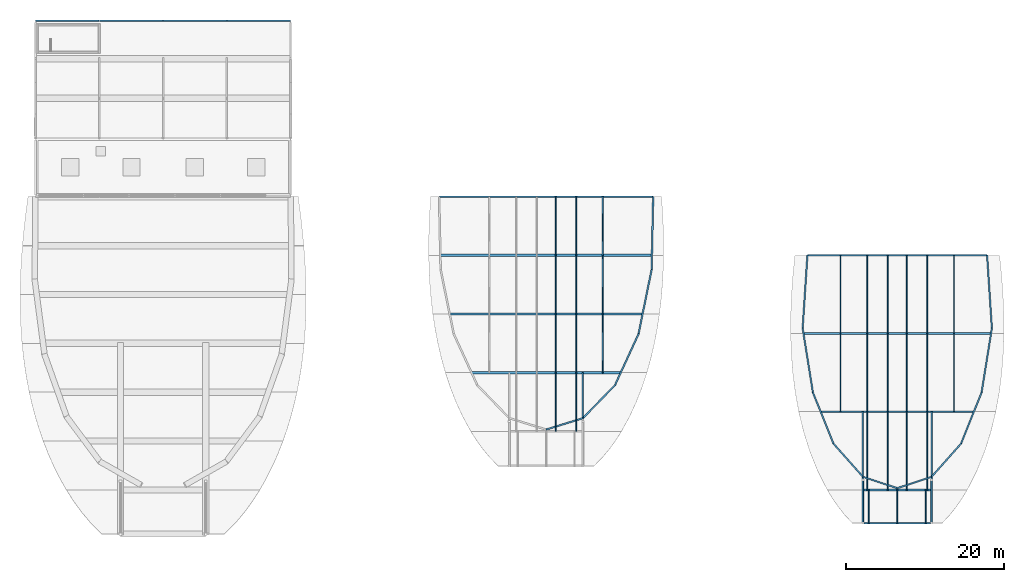
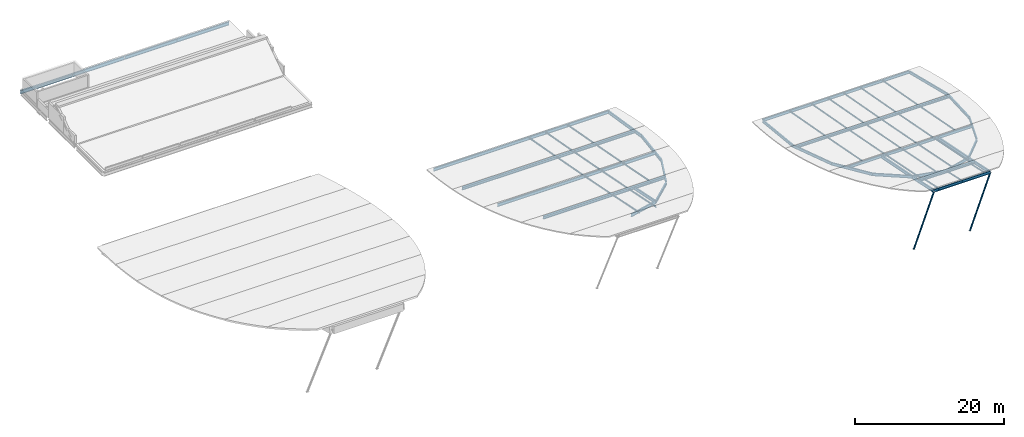
# One storey, part 2 of 9: 41 members, 24 beams.
"""IFC4 building model written with IfcOpenShell, lengths in metres."""

from ifc_helpers import new_model, si_unit, direction, frame, origin, origin_2d, place, context, subcontext, project, spatial, hollow_circle, i_section, extrude, material, material_profile, profile_set, type_object, element, save


model = new_model("IFC4")

# Units and contexts
model_context = context("Model", 3, precision=1e-05, world=origin(), true_north=direction((0.0, 1.0)))
body_context = subcontext(model_context, "Body", "Model", "MODEL_VIEW")
ifc_project = project(units=[si_unit("LENGTHUNIT", "METRE"), si_unit("AREAUNIT", "SQUARE_METRE"), si_unit("VOLUMEUNIT", "CUBIC_METRE"), si_unit("PLANEANGLEUNIT", "RADIAN"), si_unit("MASSUNIT", "GRAM", prefix="KILO")], contexts=[model_context])

# Site, building, storey
site_placement = place(None, origin())
site = spatial("IfcSite", under=ifc_project, at=site_placement, CompositionType="ELEMENT")
building_placement = place(site_placement, origin())
building = spatial("IfcBuilding", under=site, at=building_placement, Name="Kaelora Sail Theatre", CompositionType="ELEMENT")
storey_placement = place(building_placement, frame((0.0, 0.0, 33.60009765625)))
storey = spatial("IfcBuildingStorey", under=building, at=storey_placement, Name="ROOF", CompositionType="ELEMENT", Elevation=33.60009765625)

# Beams
ifc_material_1 = material(Name="Steel S355", Category="steel")
ifc_material_profile_1 = material_profile(ifc_material_1, i_section(OverallWidth=0.18994140625, OverallDepth=0.449951171875, WebThickness=0.009521484375, FlangeThickness=0.0146484375, FilletRadius=0.02099609375, at=origin_2d()), Name="IPE 450")
ifc_profile_set_1 = profile_set([ifc_material_profile_1], Name="Steel S355")
beam_type_1 = type_object("IfcBeamType", Name="STR-BM-BM-IPE450", PredefinedType="BEAM", material=ifc_profile_set_1)
beam_1_placement = place(storey_placement, frame((146.550048828125, 53.580078125, -21.425048828125), z_axis=(0.064109914558, -0.981560077137, 0.180082575021), x_axis=(0.997873820991, 0.065175435405, 0.0)))
element("IfcBeam", 1, at=beam_1_placement, inside=storey, type_object=beam_type_1, Name="Black-Box Theatre perimeter steel ring beam 01", PredefinedType="BEAM", context=body_context, shape_type="SweptSolid", body=[
    extrude(i_section(OverallWidth=0.18994140625, OverallDepth=0.449951171875, WebThickness=0.009521484375, FlangeThickness=0.0146484375, FilletRadius=0.02099609375, at=origin_2d()), origin(), (0.0, 0.0, 1.0), 9.428955078125),
])
beam_2_placement = place(storey_placement, frame((147.154541015625, 44.324951171875, -19.72705078125), z_axis=(-0.155507031333, -0.970319677559, 0.185195265999), x_axis=(0.987399977254, -0.158244383529, 0.0)))
element("IfcBeam", 2, at=beam_2_placement, inside=storey, type_object=beam_type_1, Name="Black-Box Theatre perimeter steel ring beam 02", PredefinedType="BEAM", context=body_context, shape_type="SweptSolid", body=[
    extrude(i_section(OverallWidth=0.18994140625, OverallDepth=0.449951171875, WebThickness=0.009521484375, FlangeThickness=0.0146484375, FilletRadius=0.02099609375, at=origin_2d()), origin(), (0.0, 0.0, 1.0), 8.396240234375),
])
beam_3_placement = place(storey_placement, frame((145.848876953125, 36.177978515625, -18.172119140625), z_axis=(-0.367434591684, -0.912583766968, 0.179395343027), x_axis=(0.927632693135, -0.373493757146, 0.0)))
element("IfcBeam", 3, at=beam_3_placement, inside=storey, type_object=beam_type_1, Name="Black-Box Theatre perimeter steel ring beam 03", PredefinedType="BEAM", context=body_context, shape_type="SweptSolid", body=[
    extrude(i_section(OverallWidth=0.18994140625, OverallDepth=0.449951171875, WebThickness=0.009521484375, FlangeThickness=0.0146484375, FilletRadius=0.02099609375, at=origin_2d()), origin(), (0.0, 0.0, 1.0), 7.117431640625),
])
beam_4_placement = place(storey_placement, frame((143.233642578125, 29.6826171875, -16.895263671875), z_axis=(-0.656992105837, -0.739315148902, 0.147561795436), x_axis=(0.747498131982, -0.664263910417, 0.0)))
element("IfcBeam", 4, at=beam_4_placement, inside=storey, type_object=beam_type_1, Name="Black-Box Theatre perimeter steel ring beam 04", PredefinedType="BEAM", context=body_context, shape_type="SweptSolid", body=[
    extrude(i_section(OverallWidth=0.18994140625, OverallDepth=0.449951171875, WebThickness=0.009521484375, FlangeThickness=0.0146484375, FilletRadius=0.02099609375, at=origin_2d()), origin(), (0.0, 0.0, 1.0), 5.67333984375),
])
beam_5_placement = place(storey_placement, frame((139.50634765625, 25.48828125, -16.05810546875), z_axis=(-0.947062765388, -0.314838395219, 0.062840300057), x_axis=(0.315461875566, -0.94893825145, 0.0)))
element("IfcBeam", 5, at=beam_5_placement, inside=storey, type_object=beam_type_1, Name="Black-Box Theatre perimeter steel ring beam 05", PredefinedType="BEAM", context=body_context, shape_type="SweptSolid", body=[
    extrude(i_section(OverallWidth=0.18994140625, OverallDepth=0.449951171875, WebThickness=0.009521484375, FlangeThickness=0.0146484375, FilletRadius=0.02099609375, at=origin_2d()), origin(), (0.0, 0.0, 1.0), 4.599853515625),
])
beam_6_placement = place(storey_placement, frame((135.14990234375, 24.0400390625, -15.76904296875), z_axis=(-0.947057294467, 0.314854221307, -0.062843458872), x_axis=(-0.315477795867, -0.948932958809, 0.0)))
element("IfcBeam", 6, at=beam_6_placement, inside=storey, type_object=beam_type_1, Name="Black-Box Theatre perimeter steel ring beam 06", PredefinedType="BEAM", context=body_context, shape_type="SweptSolid", body=[
    extrude(i_section(OverallWidth=0.18994140625, OverallDepth=0.449951171875, WebThickness=0.009521484375, FlangeThickness=0.0146484375, FilletRadius=0.02099609375, at=origin_2d()), origin(), (0.0, 0.0, 1.0), 4.599609375),
])
beam_7_placement = place(storey_placement, frame((130.793701171875, 25.48828125, -16.05810546875), z_axis=(-0.656992105837, 0.739315148902, -0.147561795436), x_axis=(-0.747498131982, -0.664263910417, 0.0)))
element("IfcBeam", 7, at=beam_7_placement, inside=storey, type_object=beam_type_1, Name="Black-Box Theatre perimeter steel ring beam 07", PredefinedType="BEAM", context=body_context, shape_type="SweptSolid", body=[
    extrude(i_section(OverallWidth=0.18994140625, OverallDepth=0.449951171875, WebThickness=0.009521484375, FlangeThickness=0.0146484375, FilletRadius=0.02099609375, at=origin_2d()), origin(), (0.0, 0.0, 1.0), 5.67333984375),
])
beam_8_placement = place(storey_placement, frame((127.06640625, 29.6826171875, -16.895263671875), z_axis=(-0.367434591684, 0.912583766968, -0.179395343027), x_axis=(-0.927632693135, -0.373493757146, 0.0)))
element("IfcBeam", 8, at=beam_8_placement, inside=storey, type_object=beam_type_1, Name="Black-Box Theatre perimeter steel ring beam 08", PredefinedType="BEAM", context=body_context, shape_type="SweptSolid", body=[
    extrude(i_section(OverallWidth=0.18994140625, OverallDepth=0.449951171875, WebThickness=0.009521484375, FlangeThickness=0.0146484375, FilletRadius=0.02099609375, at=origin_2d()), origin(), (0.0, 0.0, 1.0), 7.117431640625),
])
beam_9_placement = place(storey_placement, frame((124.451171875, 36.177978515625, -18.172119140625), z_axis=(-0.155507031333, 0.970319677559, -0.185195265999), x_axis=(-0.987399977254, -0.158244383529, 0.0)))
element("IfcBeam", 9, at=beam_9_placement, inside=storey, type_object=beam_type_1, Name="Black-Box Theatre perimeter steel ring beam 09", PredefinedType="BEAM", context=body_context, shape_type="SweptSolid", body=[
    extrude(i_section(OverallWidth=0.18994140625, OverallDepth=0.449951171875, WebThickness=0.009521484375, FlangeThickness=0.0146484375, FilletRadius=0.02099609375, at=origin_2d()), origin(), (0.0, 0.0, 1.0), 8.396240234375),
])
beam_10_placement = place(storey_placement, frame((123.1455078125, 44.324951171875, -19.72705078125), z_axis=(0.064109914558, 0.981560077137, -0.180082575021), x_axis=(-0.997873820991, 0.065175435405, 0.0)))
element("IfcBeam", 10, at=beam_10_placement, inside=storey, type_object=beam_type_1, Name="Black-Box Theatre perimeter steel ring beam 10", PredefinedType="BEAM", context=body_context, shape_type="SweptSolid", body=[
    extrude(i_section(OverallWidth=0.18994140625, OverallDepth=0.449951171875, WebThickness=0.009521484375, FlangeThickness=0.0146484375, FilletRadius=0.02099609375, at=origin_2d()), origin(), (0.0, 0.0, 1.0), 9.428955078125),
])
ifc_material_2 = material(Name="Steel S355", Category="steel")
ifc_material_profile_2 = material_profile(ifc_material_2, i_section(OverallWidth=0.199951171875, OverallDepth=0.5, WebThickness=0.01025390625, FlangeThickness=0.01611328125, FilletRadius=0.02099609375, at=origin_2d()), Name="IPE 500")
ifc_profile_set_2 = profile_set([ifc_material_profile_2], Name="Steel S355")
beam_type_2 = type_object("IfcBeamType", Name="STR-BM-BM-IPE500", PredefinedType="BEAM", material=ifc_profile_set_2)
beam_11_placement = place(storey_placement, frame((104.179931640625, 61.02001953125, -17.66015625), z_axis=(-0.02093068769, -0.983301402371, 0.180776819332), x_axis=(0.999773527159, -0.021281315584, 0.0)))
element("IfcBeam", 11, at=beam_11_placement, inside=storey, type_object=beam_type_2, Name="Studio Theatre perimeter steel ring beam 01", PredefinedType="BEAM", context=body_context, shape_type="SweptSolid", body=[
    extrude(i_section(OverallWidth=0.199951171875, OverallDepth=0.5, WebThickness=0.01025390625, FlangeThickness=0.01611328125, FilletRadius=0.02099609375, at=origin_2d()), origin(), (0.0, 0.0, 1.0), 9.4130859375),
])
beam_12_placement = place(storey_placement, frame((103.98291015625, 51.76416015625, -15.95849609375), z_axis=(-0.196375484124, -0.96317362121, 0.183666122736), x_axis=(0.97984202224, -0.199773900827, 0.0)))
element("IfcBeam", 12, at=beam_12_placement, inside=storey, type_object=beam_type_2, Name="Studio Theatre perimeter steel ring beam 02", PredefinedType="BEAM", context=body_context, shape_type="SweptSolid", body=[
    extrude(i_section(OverallWidth=0.199951171875, OverallDepth=0.5, WebThickness=0.01025390625, FlangeThickness=0.01611328125, FilletRadius=0.02099609375, at=origin_2d()), origin(), (0.0, 0.0, 1.0), 8.471435546875),
])
beam_13_placement = place(storey_placement, frame((102.3193359375, 43.604736328125, -14.402587890625), z_axis=(-0.411226479221, -0.894135872735, 0.177239453498), x_axis=(0.908519777606, -0.417841852497, 0.0)))
element("IfcBeam", 13, at=beam_13_placement, inside=storey, type_object=beam_type_2, Name="Studio Theatre perimeter steel ring beam 03", PredefinedType="BEAM", context=body_context, shape_type="SweptSolid", body=[
    extrude(i_section(OverallWidth=0.199951171875, OverallDepth=0.5, WebThickness=0.01025390625, FlangeThickness=0.01611328125, FilletRadius=0.02099609375, at=origin_2d()), origin(), (0.0, 0.0, 1.0), 7.2578125),
])
beam_14_placement = place(storey_placement, frame((99.334716796875, 37.115234375, -13.1162109375), z_axis=(-0.689100479113, -0.709999869057, 0.145054181688), x_axis=(0.717589299242, -0.696466508608, 0.0)))
element("IfcBeam", 14, at=beam_14_placement, inside=storey, type_object=beam_type_2, Name="Studio Theatre perimeter steel ring beam 04", PredefinedType="BEAM", context=body_context, shape_type="SweptSolid", body=[
    extrude(i_section(OverallWidth=0.199951171875, OverallDepth=0.5, WebThickness=0.01025390625, FlangeThickness=0.01611328125, FilletRadius=0.02099609375, at=origin_2d()), origin(), (0.0, 0.0, 1.0), 5.899169921875),
])
beam_15_placement = place(storey_placement, frame((95.26953125, 32.9267578125, -12.260498046875), z_axis=(-0.953461181273, -0.295420420382, 0.060320403082), x_axis=(0.295959342638, -0.955200537848, 0.0)))
element("IfcBeam", 15, at=beam_15_placement, inside=storey, type_object=beam_type_2, Name="Studio Theatre perimeter steel ring beam 05", PredefinedType="BEAM", context=body_context, shape_type="SweptSolid", body=[
    extrude(i_section(OverallWidth=0.199951171875, OverallDepth=0.5, WebThickness=0.01025390625, FlangeThickness=0.01611328125, FilletRadius=0.02099609375, at=origin_2d()), origin(), (0.0, 0.0, 1.0), 4.8974609375),
])
beam_16_placement = place(storey_placement, frame((95.26953125, 38.699951171875, -13.4501953125), z_axis=(0.0, -0.979754661109, 0.200201908169), x_axis=(1.0, 0.0, 0.0)))
element("IfcBeam", 16, at=beam_16_placement, inside=storey, type_object=beam_type_2, Name="Studio Theatre prow keel back-span girder E", PredefinedType="BEAM", context=body_context, shape_type="SweptSolid", body=[
    extrude(i_section(OverallWidth=0.199951171875, OverallDepth=0.5, WebThickness=0.01025390625, FlangeThickness=0.01611328125, FilletRadius=0.02099609375, at=origin_2d()), origin(), (0.0, 0.0, 1.0), 5.892578125),
])
beam_17_placement = place(storey_placement, frame((130.793701171875, 33.739990234375, -17.739990234375), z_axis=(0.0, -0.980657599857, 0.195731121295), x_axis=(1.0, 0.0, 0.0)))
element("IfcBeam", 17, at=beam_17_placement, inside=storey, type_object=beam_type_2, Name="Black-Box Theatre prow keel back-span girder W", PredefinedType="BEAM", context=body_context, shape_type="SweptSolid", body=[
    extrude(i_section(OverallWidth=0.199951171875, OverallDepth=0.5, WebThickness=0.01025390625, FlangeThickness=0.01611328125, FilletRadius=0.02099609375, at=origin_2d()), origin(), (0.0, 0.0, 1.0), 8.41455078125),
])
beam_18_placement = place(storey_placement, frame((130.793701171875, 25.48828125, -16.093017578125), z_axis=(0.0, -0.977956956931, 0.208806586078), x_axis=(1.0, 0.0, 0.0)))
element("IfcBeam", 18, at=beam_18_placement, inside=storey, type_object=beam_type_2, Name="Black-Box Theatre cantilevered prow keel girder W", PredefinedType="BEAM", context=body_context, shape_type="SweptSolid", body=[
    extrude(i_section(OverallWidth=0.199951171875, OverallDepth=0.5, WebThickness=0.01025390625, FlangeThickness=0.01611328125, FilletRadius=0.02099609375, at=origin_2d()), origin(), (0.0, 0.0, 1.0), 6.00048828125),
])
beam_19_placement = place(storey_placement, frame((139.50634765625, 33.739990234375, -17.739990234375), z_axis=(0.0, -0.980657599857, 0.195731121295), x_axis=(1.0, 0.0, 0.0)))
element("IfcBeam", 19, at=beam_19_placement, inside=storey, type_object=beam_type_2, Name="Black-Box Theatre prow keel back-span girder E", PredefinedType="BEAM", context=body_context, shape_type="SweptSolid", body=[
    extrude(i_section(OverallWidth=0.199951171875, OverallDepth=0.5, WebThickness=0.01025390625, FlangeThickness=0.01611328125, FilletRadius=0.02099609375, at=origin_2d()), origin(), (0.0, 0.0, 1.0), 8.41455078125),
])
beam_20_placement = place(storey_placement, frame((139.50634765625, 25.48828125, -16.093017578125), z_axis=(0.0, -0.977956956931, 0.208806586078), x_axis=(1.0, 0.0, 0.0)))
element("IfcBeam", 20, at=beam_20_placement, inside=storey, type_object=beam_type_2, Name="Black-Box Theatre cantilevered prow keel girder E", PredefinedType="BEAM", context=body_context, shape_type="SweptSolid", body=[
    extrude(i_section(OverallWidth=0.199951171875, OverallDepth=0.5, WebThickness=0.01025390625, FlangeThickness=0.01611328125, FilletRadius=0.02099609375, at=origin_2d()), origin(), (0.0, 0.0, 1.0), 6.00048828125),
])
ifc_material_3 = material(Name="Steel S355", Category="steel")
ifc_material_profile_3 = material_profile(ifc_material_3, i_section(OverallWidth=0.2099609375, OverallDepth=0.550048828125, WebThickness=0.010986328125, FlangeThickness=0.01708984375, FilletRadius=0.02392578125, at=origin_2d()), Name="IPE 550")
ifc_profile_set_3 = profile_set([ifc_material_profile_3], Name="Steel S355")
beam_type_3 = type_object("IfcBeamType", Name="STR-BM-BM-IPE550", PredefinedType="USERDEFINED", material=ifc_profile_set_3)
for number, where, z_axis, x_axis, name in (
    (21, (25.80908203125, 83.340087890625, -0.510009765625), (1.0, 0.0, 0.0), (0.0, 1.0, 0.0), "Primary beam L 4-5 (ROOF)"),
    (22, (33.908935546875, 83.340087890625, -0.510009765625), (1.0, 0.0, 0.0), (0.0, 1.0, 0.0), "Primary beam L 5-6 (ROOF)"),
    (23, (42.009033203125, 83.340087890625, -0.510009765625), (1.0, 0.0, 0.0), (0.0, 1.0, 0.0), "Primary beam L 6-7 (ROOF)"),
    (24, (50.10888671875, 83.340087890625, -0.510009765625), (1.0, 0.0, 0.0), (0.0, 1.0, 0.0), "Primary beam L 7-8 (ROOF)"),
):
    element("IfcBeam", number, at=place(storey_placement, frame(where, z_axis=z_axis, x_axis=x_axis)), inside=storey, type_object=beam_type_3, Name=name, ObjectType="GIRDER", PredefinedType="USERDEFINED", context=body_context, shape_type="SweptSolid", body=[
        extrude(i_section(OverallWidth=0.2099609375, OverallDepth=0.550048828125, WebThickness=0.010986328125, FlangeThickness=0.01708984375, FilletRadius=0.02392578125, at=origin_2d()), origin(), (0.0, 0.0, 1.0), 8.08203125),
    ])

# Members
ifc_material_4 = material(Name="Steel S355", Category="steel")
ifc_material_profile_4 = material_profile(ifc_material_4, hollow_circle(Radius=0.122314453125, WallThickness=0.012451171875, at=origin_2d()), Name="CHS 244.5x12.5")
ifc_profile_set_4 = profile_set([ifc_material_profile_4], Name="Steel S355")
member_type_1 = type_object("IfcMemberType", Name="STR-MEM-BR-CHS244", PredefinedType="BRACE", material=ifc_profile_set_4)
for number, where, z_axis, x_axis, name in (
    (25, (130.793701171875, 25.068359375, -27.650146484375), (0.0, -0.391382020578, 0.920228294484), (1.0, 0.0, 0.0), "PS-01 Black-Box Theatre raking prow strut W"),
    (26, (139.50634765625, 25.068359375, -27.650146484375), (0.0, -0.391382020578, 0.920228294484), (1.0, 0.0, 0.0), "PS-01 Black-Box Theatre raking prow strut E"),
):
    element("IfcMember", number, at=place(storey_placement, frame(where, z_axis=z_axis, x_axis=x_axis)), inside=storey, type_object=member_type_1, Name=name, PredefinedType="BRACE", context=body_context, shape_type="SweptSolid", body=[
        extrude(hollow_circle(Radius=0.122314453125, WallThickness=0.012451171875, at=origin_2d()), origin(), (0.0, 0.0, 1.0), 13.92041015625),
    ])
ifc_material_5 = material(Name="Steel S355", Category="steel")
ifc_material_profile_5 = material_profile(ifc_material_5, i_section(OverallWidth=0.110107421875, OverallDepth=0.219970703125, WebThickness=0.005859375, FlangeThickness=0.00927734375, FilletRadius=0.011962890625, at=origin_2d()), Name="IPE 220")
ifc_profile_set_5 = profile_set([ifc_material_profile_5], Name="Steel S355")
member_type_2 = type_object("IfcMemberType", Name="STR-MEM-PR-IPE220", PredefinedType="PURLIN", material=ifc_profile_set_5)
for number, where, z_axis, x_axis, name in (
    (27, (127.949951171875, 53.570068359375, -21.3046875), (0.0, -0.983517602863, 0.180812402391), (1.0, 0.0, 0.0), "Black-Box Theatre sail purlin B01-01"),
    (28, (131.35009765625, 53.570068359375, -21.3046875), (0.0, -0.983517602863, 0.180812402391), (1.0, 0.0, 0.0), "Black-Box Theatre sail purlin B01-02"),
    (29, (133.949951171875, 53.570068359375, -21.3046875), (0.0, -0.983517602863, 0.180812402391), (1.0, 0.0, 0.0), "Black-Box Theatre sail purlin B01-03"),
    (30, (136.35009765625, 53.570068359375, -21.3046875), (0.0, -0.983517602863, 0.180812402391), (1.0, 0.0, 0.0), "Black-Box Theatre sail purlin B01-04"),
    (31, (138.949951171875, 53.570068359375, -21.3046875), (0.0, -0.983517602863, 0.180812402391), (1.0, 0.0, 0.0), "Black-Box Theatre sail purlin B01-05"),
    (32, (142.35009765625, 53.570068359375, -21.3046875), (0.0, -0.983517602863, 0.180812402391), (1.0, 0.0, 0.0), "Black-Box Theatre sail purlin B01-06"),
):
    element("IfcMember", number, at=place(storey_placement, frame(where, z_axis=z_axis, x_axis=x_axis)), inside=storey, type_object=member_type_2, Name=name, PredefinedType="PURLIN", context=body_context, shape_type="SweptSolid", body=[
        extrude(i_section(OverallWidth=0.110107421875, OverallDepth=0.219970703125, WebThickness=0.005859375, FlangeThickness=0.00927734375, FilletRadius=0.011962890625, at=origin_2d()), origin(), (0.0, 0.0, 1.0), 10.066162109375),
    ])
for number, where, z_axis, x_axis, name in (
    (33, (127.949951171875, 43.64990234375, -19.485107421875), (0.0, -0.982078582919, 0.188471899686), (1.0, 0.0, 0.0), "Black-Box Theatre sail purlin B02-01"),
    (34, (131.35009765625, 43.64990234375, -19.485107421875), (0.0, -0.982078582919, 0.188471899686), (1.0, 0.0, 0.0), "Black-Box Theatre sail purlin B02-02"),
    (35, (133.949951171875, 43.64990234375, -19.485107421875), (0.0, -0.982078582919, 0.188471899686), (1.0, 0.0, 0.0), "Black-Box Theatre sail purlin B02-03"),
    (36, (136.35009765625, 43.64990234375, -19.485107421875), (0.0, -0.982078582919, 0.188471899686), (1.0, 0.0, 0.0), "Black-Box Theatre sail purlin B02-04"),
    (37, (138.949951171875, 43.64990234375, -19.485107421875), (0.0, -0.982078582919, 0.188471899686), (1.0, 0.0, 0.0), "Black-Box Theatre sail purlin B02-05"),
    (38, (142.35009765625, 43.64990234375, -19.485107421875), (0.0, -0.982078582919, 0.188471899686), (1.0, 0.0, 0.0), "Black-Box Theatre sail purlin B02-06"),
):
    element("IfcMember", number, at=place(storey_placement, frame(where, z_axis=z_axis, x_axis=x_axis)), inside=storey, type_object=member_type_2, Name=name, PredefinedType="PURLIN", context=body_context, shape_type="SweptSolid", body=[
        extrude(i_section(OverallWidth=0.110107421875, OverallDepth=0.219970703125, WebThickness=0.005859375, FlangeThickness=0.00927734375, FilletRadius=0.011962890625, at=origin_2d()), origin(), (0.0, 0.0, 1.0), 10.08056640625),
    ])
for number, where, z_axis, x_axis, name in (
    (39, (131.35009765625, 33.72998046875, -17.58544921875), (0.0, -0.980580675691, 0.196116135138), (1.0, 0.0, 0.0), "Black-Box Theatre sail purlin B03-02"),
    (40, (133.949951171875, 33.72998046875, -17.58544921875), (0.0, -0.980580675691, 0.196116135138), (1.0, 0.0, 0.0), "Black-Box Theatre sail purlin B03-03"),
    (41, (136.35009765625, 33.72998046875, -17.58544921875), (0.0, -0.980580675691, 0.196116135138), (1.0, 0.0, 0.0), "Black-Box Theatre sail purlin B03-04"),
    (42, (138.949951171875, 33.72998046875, -17.58544921875), (0.0, -0.980580675691, 0.196116135138), (1.0, 0.0, 0.0), "Black-Box Theatre sail purlin B03-05"),
):
    element("IfcMember", number, at=place(storey_placement, frame(where, z_axis=z_axis, x_axis=x_axis)), inside=storey, type_object=member_type_2, Name=name, PredefinedType="PURLIN", context=body_context, shape_type="SweptSolid", body=[
        extrude(i_section(OverallWidth=0.110107421875, OverallDepth=0.219970703125, WebThickness=0.005859375, FlangeThickness=0.00927734375, FilletRadius=0.011962890625, at=origin_2d()), origin(), (0.0, 0.0, 1.0), 10.095947265625),
    ])
for number, where, z_axis, x_axis, name in (
    (43, (131.550048828125, 23.81005859375, -15.606689453125), (0.0, -0.976618606101, 0.214979297185), (1.0, 0.0, 0.0), "Black-Box Theatre sail purlin B04-01"),
    (44, (135.14990234375, 23.81005859375, -15.606689453125), (0.0, -0.976618606101, 0.214979297185), (1.0, 0.0, 0.0), "Black-Box Theatre sail purlin B04-02"),
    (45, (138.75, 23.81005859375, -15.606689453125), (0.0, -0.976618606101, 0.214979297185), (1.0, 0.0, 0.0), "Black-Box Theatre sail purlin B04-03"),
):
    element("IfcMember", number, at=place(storey_placement, frame(where, z_axis=z_axis, x_axis=x_axis)), inside=storey, type_object=member_type_2, Name=name, PredefinedType="PURLIN", context=body_context, shape_type="SweptSolid", body=[
        extrude(i_section(OverallWidth=0.110107421875, OverallDepth=0.219970703125, WebThickness=0.005859375, FlangeThickness=0.00927734375, FilletRadius=0.011962890625, at=origin_2d()), origin(), (0.0, 0.0, 1.0), 4.2802734375),
    ])
ifc_material_6 = material(Name="Steel S355", Category="steel")
ifc_material_profile_6 = material_profile(ifc_material_6, i_section(OverallWidth=0.1201171875, OverallDepth=0.239990234375, WebThickness=0.006103515625, FlangeThickness=0.009765625, FilletRadius=0.014892578125, at=origin_2d()), Name="IPE 240")
ifc_profile_set_6 = profile_set([ifc_material_profile_6], Name="Steel S355")
member_type_3 = type_object("IfcMemberType", Name="STR-MEM-PR-IPE240", PredefinedType="PURLIN", material=ifc_profile_set_6)
for number, where, z_axis, x_axis, name in (
    (46, (91.800048828125, 61.010009765625, -17.52490234375), (0.0, -0.983617271275, 0.180269419617), (1.0, 0.0, 0.0), "Studio Theatre sail purlin B01-04"),
    (47, (94.39990234375, 61.010009765625, -17.52490234375), (0.0, -0.983617271275, 0.180269419617), (1.0, 0.0, 0.0), "Studio Theatre sail purlin B01-05"),
    (48, (97.800048828125, 61.010009765625, -17.52490234375), (0.0, -0.983617271275, 0.180269419617), (1.0, 0.0, 0.0), "Studio Theatre sail purlin B01-06"),
):
    element("IfcMember", number, at=place(storey_placement, frame(where, z_axis=z_axis, x_axis=x_axis)), inside=storey, type_object=member_type_3, Name=name, PredefinedType="PURLIN", context=body_context, shape_type="SweptSolid", body=[
        extrude(i_section(OverallWidth=0.1201171875, OverallDepth=0.239990234375, WebThickness=0.006103515625, FlangeThickness=0.009765625, FilletRadius=0.014892578125, at=origin_2d()), origin(), (0.0, 0.0, 1.0), 7.54345703125),
    ])
for number, where, z_axis, x_axis, name in (
    (49, (91.800048828125, 53.570068359375, -16.165283203125), (0.0, -0.982664765657, 0.185391365323), (1.0, 0.0, 0.0), "Studio Theatre sail purlin B02-04"),
    (50, (94.39990234375, 53.570068359375, -16.165283203125), (0.0, -0.982664765657, 0.185391365323), (1.0, 0.0, 0.0), "Studio Theatre sail purlin B02-05"),
    (51, (97.800048828125, 53.570068359375, -16.165283203125), (0.0, -0.982664765657, 0.185391365323), (1.0, 0.0, 0.0), "Studio Theatre sail purlin B02-06"),
):
    element("IfcMember", number, at=place(storey_placement, frame(where, z_axis=z_axis, x_axis=x_axis)), inside=storey, type_object=member_type_3, Name=name, PredefinedType="PURLIN", context=body_context, shape_type="SweptSolid", body=[
        extrude(i_section(OverallWidth=0.1201171875, OverallDepth=0.239990234375, WebThickness=0.006103515625, FlangeThickness=0.009765625, FilletRadius=0.014892578125, at=origin_2d()), origin(), (0.0, 0.0, 1.0), 7.551025390625),
    ])
for number, where, z_axis, x_axis, name in (
    (52, (91.800048828125, 46.1298828125, -14.765625), (0.0, -0.981186837783, 0.193060584691), (1.0, 0.0, 0.0), "Studio Theatre sail purlin B03-04"),
    (53, (94.39990234375, 46.1298828125, -14.765625), (0.0, -0.981186837783, 0.193060584691), (1.0, 0.0, 0.0), "Studio Theatre sail purlin B03-05"),
    (54, (97.800048828125, 46.1298828125, -14.765625), (0.0, -0.981186837783, 0.193060584691), (1.0, 0.0, 0.0), "Studio Theatre sail purlin B03-06"),
):
    element("IfcMember", number, at=place(storey_placement, frame(where, z_axis=z_axis, x_axis=x_axis)), inside=storey, type_object=member_type_3, Name=name, PredefinedType="PURLIN", context=body_context, shape_type="SweptSolid", body=[
        extrude(i_section(OverallWidth=0.1201171875, OverallDepth=0.239990234375, WebThickness=0.006103515625, FlangeThickness=0.009765625, FilletRadius=0.014892578125, at=origin_2d()), origin(), (0.0, 0.0, 1.0), 7.562255859375),
    ])
for number, where, z_axis, x_axis, name in (
    (55, (91.800048828125, 38.68994140625, -13.30615234375), (0.0, -0.979655055191, 0.200688746171), (1.0, 0.0, 0.0), "Studio Theatre sail purlin B04-04"),
    (56, (94.39990234375, 38.68994140625, -13.30615234375), (0.0, -0.979655055191, 0.200688746171), (1.0, 0.0, 0.0), "Studio Theatre sail purlin B04-05"),
):
    element("IfcMember", number, at=place(storey_placement, frame(where, z_axis=z_axis, x_axis=x_axis)), inside=storey, type_object=member_type_3, Name=name, PredefinedType="PURLIN", context=body_context, shape_type="SweptSolid", body=[
        extrude(i_section(OverallWidth=0.1201171875, OverallDepth=0.239990234375, WebThickness=0.006103515625, FlangeThickness=0.009765625, FilletRadius=0.014892578125, at=origin_2d()), origin(), (0.0, 0.0, 1.0), 7.573974609375),
    ])
ifc_material_7 = material(Name="Steel S355", Category="steel")
ifc_material_profile_7 = material_profile(ifc_material_7, i_section(OverallWidth=0.300048828125, OverallDepth=0.389892578125, WebThickness=0.010986328125, FlangeThickness=0.01904296875, FilletRadius=0.027099609375, at=origin_2d()), Name="HEA 400")
ifc_profile_set_7 = profile_set([ifc_material_profile_7], Name="Steel S355")
member_type_4 = type_object("IfcMemberType", Name="STR-MEM-RF-HEA400", PredefinedType="RAFTER", material=ifc_profile_set_7)
member_1_placement = place(storey_placement, frame((123.251953125, 43.659912109375, -19.5400390625), z_axis=(1.0, 0.0, 0.0), x_axis=(0.0, 1.0, 0.0)))
element("IfcMember", 57, at=member_1_placement, inside=storey, type_object=member_type_4, Name="Black-Box Theatre sail steel rafter 02", PredefinedType="RAFTER", context=body_context, shape_type="SweptSolid", body=[
    extrude(i_section(OverallWidth=0.300048828125, OverallDepth=0.389892578125, WebThickness=0.010986328125, FlangeThickness=0.01904296875, FilletRadius=0.027099609375, at=origin_2d()), origin(), (0.0, 0.0, 1.0), 23.796142578125),
])
member_2_placement = place(storey_placement, frame((130.793701171875, 23.820068359375, -15.66015625), z_axis=(1.0, 0.0, 0.0), x_axis=(0.0, 1.0, 0.0)))
element("IfcMember", 58, at=member_2_placement, inside=storey, type_object=member_type_4, Name="Black-Box Theatre sail steel rafter 04", PredefinedType="RAFTER", context=body_context, shape_type="SweptSolid", body=[
    extrude(i_section(OverallWidth=0.300048828125, OverallDepth=0.389892578125, WebThickness=0.010986328125, FlangeThickness=0.01904296875, FilletRadius=0.027099609375, at=origin_2d()), origin(), (0.0, 0.0, 1.0), 8.712646484375),
])
ifc_material_8 = material(Name="Steel S355", Category="steel")
ifc_material_profile_8 = material_profile(ifc_material_8, i_section(OverallWidth=0.300048828125, OverallDepth=0.43994140625, WebThickness=0.011474609375, FlangeThickness=0.02099609375, FilletRadius=0.027099609375, at=origin_2d()), Name="HEA 450")
ifc_profile_set_8 = profile_set([ifc_material_profile_8], Name="Steel S355")
member_type_5 = type_object("IfcMemberType", Name="STR-MEM-RF-HEA450", PredefinedType="RAFTER", material=ifc_profile_set_8)
member_3_placement = place(storey_placement, frame((77.178466796875, 53.580078125, -16.235107421875), z_axis=(1.0, 0.0, 0.0), x_axis=(0.0, 1.0, 0.0)))
element("IfcMember", 59, at=member_3_placement, inside=storey, type_object=member_type_5, Name="Studio Theatre sail steel rafter 02", PredefinedType="RAFTER", context=body_context, shape_type="SweptSolid", body=[
    extrude(i_section(OverallWidth=0.300048828125, OverallDepth=0.43994140625, WebThickness=0.011474609375, FlangeThickness=0.02099609375, FilletRadius=0.027099609375, at=origin_2d()), origin(), (0.0, 0.0, 1.0), 26.843017578125),
])
member_4_placement = place(storey_placement, frame((81.13671875, 38.699951171875, -13.375), z_axis=(1.0, 0.0, 0.0), x_axis=(0.0, 1.0, 0.0)))
element("IfcMember", 60, at=member_4_placement, inside=storey, type_object=member_type_5, Name="Studio Theatre sail steel rafter 04", PredefinedType="RAFTER", context=body_context, shape_type="SweptSolid", body=[
    extrude(i_section(OverallWidth=0.300048828125, OverallDepth=0.43994140625, WebThickness=0.011474609375, FlangeThickness=0.02099609375, FilletRadius=0.027099609375, at=origin_2d()), origin(), (0.0, 0.0, 1.0), 18.9267578125),
])
ifc_material_9 = material(Name="Steel S355", Category="steel")
ifc_material_profile_9 = material_profile(ifc_material_9, i_section(OverallWidth=0.18994140625, OverallDepth=0.449951171875, WebThickness=0.009521484375, FlangeThickness=0.0146484375, FilletRadius=0.02099609375, at=origin_2d()), Name="IPE 450")
ifc_profile_set_9 = profile_set([ifc_material_profile_9], Name="Steel S355")
member_type_6 = type_object("IfcMemberType", Name="STR-MEM-RF-IPE450", PredefinedType="RAFTER", material=ifc_profile_set_9)
member_5_placement = place(storey_placement, frame((123.75, 53.580078125, -21.39013671875), z_axis=(1.0, 0.0, 0.0), x_axis=(0.0, 1.0, 0.0)))
element("IfcMember", 61, at=member_5_placement, inside=storey, type_object=member_type_6, Name="Black-Box Theatre sail steel rafter 01", PredefinedType="RAFTER", context=body_context, shape_type="SweptSolid", body=[
    extrude(i_section(OverallWidth=0.18994140625, OverallDepth=0.449951171875, WebThickness=0.009521484375, FlangeThickness=0.0146484375, FilletRadius=0.02099609375, at=origin_2d()), origin(), (0.0, 0.0, 1.0), 22.800048828125),
])
member_6_placement = place(storey_placement, frame((125.4326171875, 33.739990234375, -17.670166015625), z_axis=(1.0, 0.0, 0.0), x_axis=(0.0, 1.0, 0.0)))
element("IfcMember", 62, at=member_6_placement, inside=storey, type_object=member_type_6, Name="Black-Box Theatre sail steel rafter 03", PredefinedType="RAFTER", context=body_context, shape_type="SweptSolid", body=[
    extrude(i_section(OverallWidth=0.18994140625, OverallDepth=0.449951171875, WebThickness=0.009521484375, FlangeThickness=0.0146484375, FilletRadius=0.02099609375, at=origin_2d()), origin(), (0.0, 0.0, 1.0), 19.4345703125),
])
member_7_placement = place(storey_placement, frame((130.793701171875, 19.6201171875, -14.77001953125), z_axis=(1.0, 0.0, 0.0), x_axis=(0.0, 1.0, 0.0)))
element("IfcMember", 63, at=member_7_placement, inside=storey, type_object=member_type_6, Name="Black-Box Theatre sail steel rafter 05", PredefinedType="RAFTER", context=body_context, shape_type="SweptSolid", body=[
    extrude(i_section(OverallWidth=0.18994140625, OverallDepth=0.449951171875, WebThickness=0.009521484375, FlangeThickness=0.0146484375, FilletRadius=0.02099609375, at=origin_2d()), origin(), (0.0, 0.0, 1.0), 8.712646484375),
])
ifc_material_10 = material(Name="Steel S355", Category="steel")
ifc_material_profile_10 = material_profile(ifc_material_10, i_section(OverallWidth=0.199951171875, OverallDepth=0.5, WebThickness=0.01025390625, FlangeThickness=0.01611328125, FilletRadius=0.02099609375, at=origin_2d()), Name="IPE 500")
ifc_profile_set_10 = profile_set([ifc_material_profile_10], Name="Steel S355")
member_type_7 = type_object("IfcMemberType", Name="STR-MEM-RF-IPE500", PredefinedType="RAFTER", material=ifc_profile_set_10)
member_8_placement = place(storey_placement, frame((77.02001953125, 61.02001953125, -17.625), z_axis=(1.0, 0.0, 0.0), x_axis=(0.0, 1.0, 0.0)))
element("IfcMember", 64, at=member_8_placement, inside=storey, type_object=member_type_7, Name="Studio Theatre sail steel rafter 01", PredefinedType="RAFTER", context=body_context, shape_type="SweptSolid", body=[
    extrude(i_section(OverallWidth=0.199951171875, OverallDepth=0.5, WebThickness=0.01025390625, FlangeThickness=0.01611328125, FilletRadius=0.02099609375, at=origin_2d()), origin(), (0.0, 0.0, 1.0), 27.159912109375),
])
member_9_placement = place(storey_placement, frame((78.36376953125, 46.139892578125, -14.864990234375), z_axis=(1.0, 0.0, 0.0), x_axis=(0.0, 1.0, 0.0)))
element("IfcMember", 65, at=member_9_placement, inside=storey, type_object=member_type_7, Name="Studio Theatre sail steel rafter 03", PredefinedType="RAFTER", context=body_context, shape_type="SweptSolid", body=[
    extrude(i_section(OverallWidth=0.199951171875, OverallDepth=0.5, WebThickness=0.01025390625, FlangeThickness=0.01611328125, FilletRadius=0.02099609375, at=origin_2d()), origin(), (0.0, 0.0, 1.0), 24.472412109375),
])

save(model, "model.ifc")
